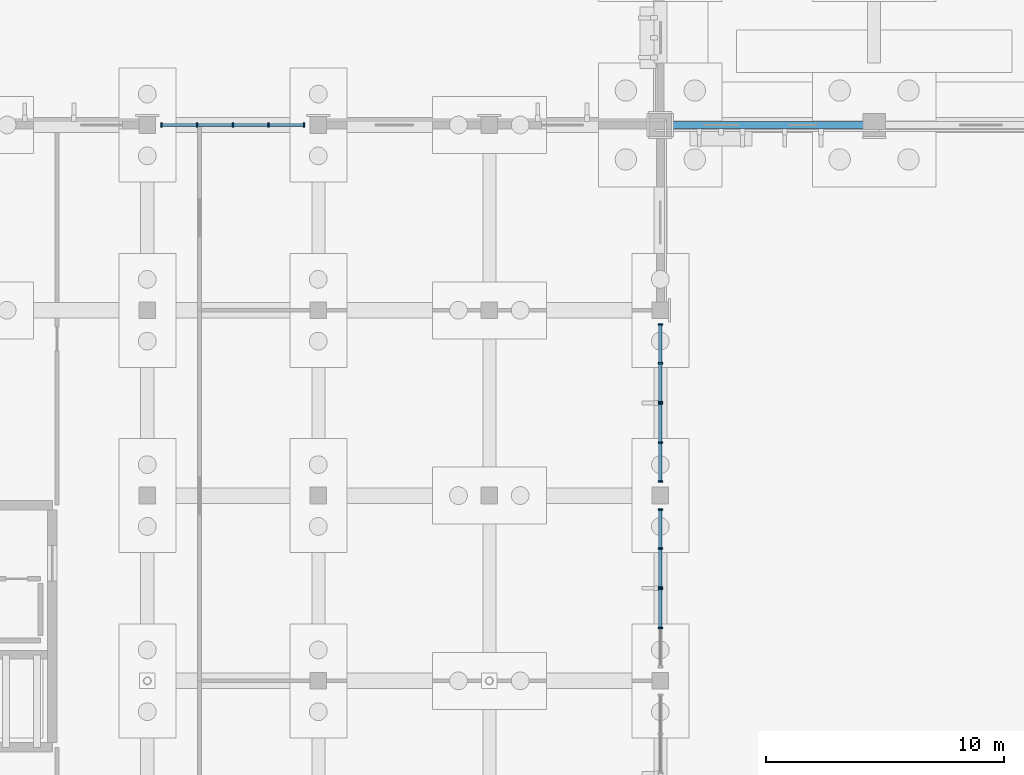
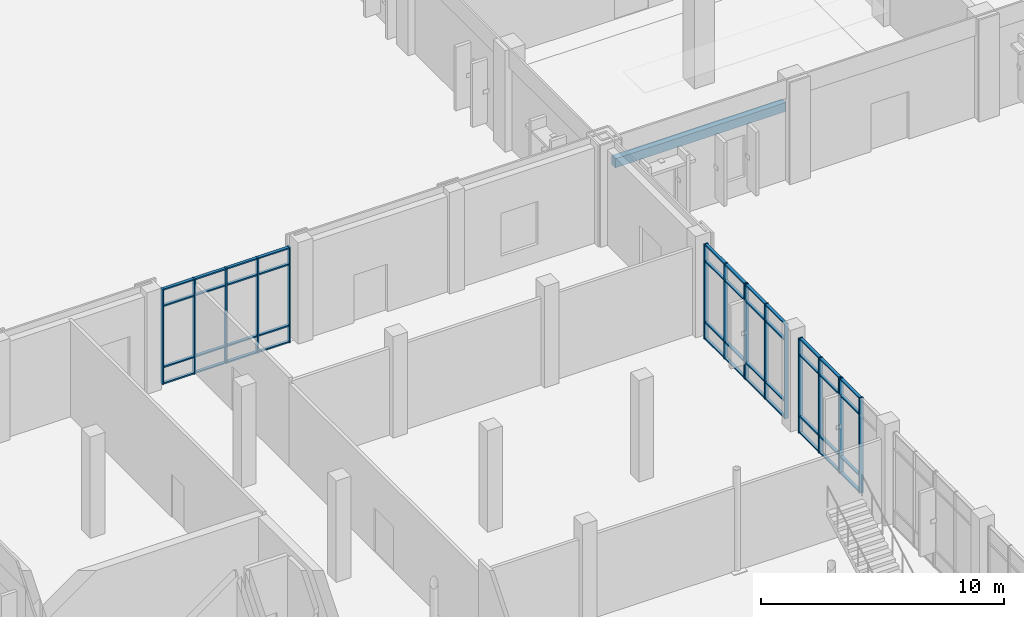
# One storey, part 43 of 94: 60 members, 1 beam, 5 elements without a shape of their own.
"""IFC4 building model written with IfcOpenShell, lengths in metres."""

from ifc_helpers import new_model, si_unit, direction, frame, origin, origin_2d, place, context, subcontext, project, spatial, rectangle, extrude, material, material_profile, profile_set, type_object, element, aggregate, save


model = new_model("IFC4")

# Units and contexts
model_context = context("Model", 3, precision=1e-05, world=origin(), true_north=direction((0.0, 1.0)))
body_context = subcontext(model_context, "Body", "Model", "MODEL_VIEW")
ifc_project = project(units=[si_unit("LENGTHUNIT", "METRE"), si_unit("AREAUNIT", "SQUARE_METRE"), si_unit("VOLUMEUNIT", "CUBIC_METRE"), si_unit("PLANEANGLEUNIT", "RADIAN"), si_unit("MASSUNIT", "GRAM", prefix="KILO")], contexts=[model_context])

# Site, building, storey
site_placement = place(None, origin())
site = spatial("IfcSite", under=ifc_project, at=site_placement, CompositionType="ELEMENT")
building_placement = place(site_placement, origin())
building = spatial("IfcBuilding", under=site, at=building_placement, Name="Vervanel Yard Central Library", CompositionType="ELEMENT")
storey_placement = place(building_placement, origin())
storey = spatial("IfcBuildingStorey", under=building, at=storey_placement, Name="L00", CompositionType="ELEMENT", Elevation=0.0)

# Beam
ifc_material_1 = material(Name="Concrete C40/50", Category="concrete")
ifc_material_profile_1 = material_profile(ifc_material_1, rectangle(XDim=0.300048828125, YDim=0.449951171875, at=origin_2d()), Name="RC 300x450", Category="concrete")
ifc_profile_set_1 = profile_set([ifc_material_profile_1], Name="Concrete C40/50")
beam_type = type_object("IfcBeamType", Name="Concrete Opening Lintel 300x450", PredefinedType="LINTEL", material=ifc_profile_set_1)
beam_placement = place(storey_placement, frame((36.449951171875, 82.199951171875, 3.64990234375), z_axis=(1.0, 0.0, 0.0), x_axis=(0.0, 1.0, 0.0)))
element("IfcBeam", 1, at=beam_placement, inside=storey, type_object=beam_type, Name="L00 Portal Opening Lintel 1", PredefinedType="LINTEL", context=body_context, shape_type="SweptSolid", body=[
    extrude(rectangle(XDim=0.300048828125, YDim=0.449951171875, at=origin_2d()), origin(), (0.0, 0.0, 1.0), 8.10009765625),
])

# Curtain wall, members
ifc_material_2 = material(Name="Thermally broken anodized aluminium 6063-T6", Category="aluminium")
curtain_wall_type = type_object("IfcCurtainWallType", Name="Atrium Courtyard Curtain Wall", PredefinedType="NOTDEFINED", material=ifc_material_2)
curtain_wall_1_placement = place(storey_placement, origin())
curtain_wall_1 = element("IfcCurtainWall", 2, at=curtain_wall_1_placement, inside=storey, type_object=curtain_wall_type, Name="L00 Atrium Courtyard Curtain Wall CWR-L00-023", PredefinedType="NOTDEFINED")
ifc_material_profile_2 = material_profile(ifc_material_2, rectangle(XDim=0.06494140625, YDim=0.18994140625, at=origin_2d()), Name="ALU 65x190", Category="aluminium")
ifc_profile_set_2 = profile_set([ifc_material_profile_2], Name="Thermally broken anodized aluminium 6063-T6")
member_type_1 = type_object("IfcMemberType", Name="Curtain Wall Primary Mullion 65x190", PredefinedType="MULLION", material=ifc_profile_set_2)
member_1_placement = place(storey_placement, frame((36.0, 61.030029296875, 0.0), z_axis=(0.0, 0.0, 1.0), x_axis=(0.0, 1.0, 0.0)))
member_1 = element("IfcMember", 3, at=member_1_placement, type_object=member_type_1, Name="CWR-L00-023 Mullion 2", PredefinedType="MULLION", context=body_context, shape_type="SweptSolid", body=[
    extrude(rectangle(XDim=0.06494140625, YDim=0.18994140625, at=origin_2d()), origin(), (0.0, 0.0, 1.0), 4.780029296875),
])
member_2_placement = place(storey_placement, frame((36.0, 62.66748046875, 0.0), z_axis=(0.0, 0.0, 1.0), x_axis=(0.0, 1.0, 0.0)))
member_2 = element("IfcMember", 4, at=member_2_placement, type_object=member_type_1, Name="CWR-L00-023 Mullion 3", PredefinedType="MULLION", context=body_context, shape_type="SweptSolid", body=[
    extrude(rectangle(XDim=0.06494140625, YDim=0.18994140625, at=origin_2d()), origin(), (0.0, 0.0, 1.0), 4.780029296875),
])

curtain_wall_2_placement = place(storey_placement, origin())
curtain_wall_2 = element("IfcCurtainWall", 5, at=curtain_wall_2_placement, inside=storey, type_object=curtain_wall_type, Name="L00 Atrium Courtyard Curtain Wall CWR-L00-024", PredefinedType="NOTDEFINED")
member_3_placement = place(storey_placement, frame((36.0, 62.732421875, 0.0), z_axis=(0.0, 0.0, 1.0), x_axis=(0.0, 1.0, 0.0)))
member_3 = element("IfcMember", 6, at=member_3_placement, type_object=member_type_1, Name="CWR-L00-024 Mullion 1", PredefinedType="MULLION", context=body_context, shape_type="SweptSolid", body=[
    extrude(rectangle(XDim=0.06494140625, YDim=0.18994140625, at=origin_2d()), origin(), (0.0, 0.0, 1.0), 4.780029296875),
])
member_4_placement = place(storey_placement, frame((36.0, 64.3701171875, 0.0), z_axis=(0.0, 0.0, 1.0), x_axis=(0.0, 1.0, 0.0)))
member_4 = element("IfcMember", 7, at=member_4_placement, type_object=member_type_1, Name="CWR-L00-024 Mullion 2", PredefinedType="MULLION", context=body_context, shape_type="SweptSolid", body=[
    extrude(rectangle(XDim=0.06494140625, YDim=0.18994140625, at=origin_2d()), origin(), (0.0, 0.0, 1.0), 4.780029296875),
])
member_5_placement = place(storey_placement, frame((36.0, 66.007568359375, 0.0), z_axis=(0.0, 0.0, 1.0), x_axis=(0.0, 1.0, 0.0)))
member_5 = element("IfcMember", 8, at=member_5_placement, type_object=member_type_1, Name="CWR-L00-024 Mullion 3", PredefinedType="MULLION", context=body_context, shape_type="SweptSolid", body=[
    extrude(rectangle(XDim=0.06494140625, YDim=0.18994140625, at=origin_2d()), origin(), (0.0, 0.0, 1.0), 4.780029296875),
])

curtain_wall_3_placement = place(storey_placement, origin())
curtain_wall_3 = element("IfcCurtainWall", 9, at=curtain_wall_3_placement, inside=storey, type_object=curtain_wall_type, Name="L00 Atrium Courtyard Curtain Wall CWR-L00-025", PredefinedType="NOTDEFINED")
member_6_placement = place(storey_placement, frame((36.0, 67.1923828125, 0.0), z_axis=(0.0, 0.0, 1.0), x_axis=(0.0, 1.0, 0.0)))
member_6 = element("IfcMember", 10, at=member_6_placement, type_object=member_type_1, Name="CWR-L00-025 Mullion 1", PredefinedType="MULLION", context=body_context, shape_type="SweptSolid", body=[
    extrude(rectangle(XDim=0.06494140625, YDim=0.18994140625, at=origin_2d()), origin(), (0.0, 0.0, 1.0), 4.780029296875),
])
member_7_placement = place(storey_placement, frame((36.0, 68.830078125, 0.0), z_axis=(0.0, 0.0, 1.0), x_axis=(0.0, 1.0, 0.0)))
member_7 = element("IfcMember", 11, at=member_7_placement, type_object=member_type_1, Name="CWR-L00-025 Mullion 2", PredefinedType="MULLION", context=body_context, shape_type="SweptSolid", body=[
    extrude(rectangle(XDim=0.06494140625, YDim=0.18994140625, at=origin_2d()), origin(), (0.0, 0.0, 1.0), 4.780029296875),
])
member_8_placement = place(storey_placement, frame((36.0, 70.467529296875, 0.0), z_axis=(0.0, 0.0, 1.0), x_axis=(0.0, 1.0, 0.0)))
member_8 = element("IfcMember", 12, at=member_8_placement, type_object=member_type_1, Name="CWR-L00-025 Mullion 3", PredefinedType="MULLION", context=body_context, shape_type="SweptSolid", body=[
    extrude(rectangle(XDim=0.06494140625, YDim=0.18994140625, at=origin_2d()), origin(), (0.0, 0.0, 1.0), 4.780029296875),
])

curtain_wall_4_placement = place(storey_placement, origin())
curtain_wall_4 = element("IfcCurtainWall", 13, at=curtain_wall_4_placement, inside=storey, type_object=curtain_wall_type, Name="L00 Atrium Courtyard Curtain Wall CWR-L00-026", PredefinedType="NOTDEFINED")
member_9_placement = place(storey_placement, frame((36.0, 70.532470703125, 0.0), z_axis=(0.0, 0.0, 1.0), x_axis=(0.0, 1.0, 0.0)))
member_9 = element("IfcMember", 14, at=member_9_placement, type_object=member_type_1, Name="CWR-L00-026 Mullion 1", PredefinedType="MULLION", context=body_context, shape_type="SweptSolid", body=[
    extrude(rectangle(XDim=0.06494140625, YDim=0.18994140625, at=origin_2d()), origin(), (0.0, 0.0, 1.0), 4.780029296875),
])
member_10_placement = place(storey_placement, frame((36.0, 72.169921875, 0.0), z_axis=(0.0, 0.0, 1.0), x_axis=(0.0, 1.0, 0.0)))
member_10 = element("IfcMember", 15, at=member_10_placement, type_object=member_type_1, Name="CWR-L00-026 Mullion 2", PredefinedType="MULLION", context=body_context, shape_type="SweptSolid", body=[
    extrude(rectangle(XDim=0.06494140625, YDim=0.18994140625, at=origin_2d()), origin(), (0.0, 0.0, 1.0), 4.780029296875),
])
member_11_placement = place(storey_placement, frame((36.0, 73.8076171875, 0.0), z_axis=(0.0, 0.0, 1.0), x_axis=(0.0, 1.0, 0.0)))
member_11 = element("IfcMember", 16, at=member_11_placement, type_object=member_type_1, Name="CWR-L00-026 Mullion 3", PredefinedType="MULLION", context=body_context, shape_type="SweptSolid", body=[
    extrude(rectangle(XDim=0.06494140625, YDim=0.18994140625, at=origin_2d()), origin(), (0.0, 0.0, 1.0), 4.780029296875),
])

curtain_wall_5_placement = place(storey_placement, origin())
curtain_wall_5 = element("IfcCurtainWall", 17, at=curtain_wall_5_placement, inside=storey, type_object=curtain_wall_type, Name="L00 Atrium Courtyard Curtain Wall CWR-L00-027", PredefinedType="NOTDEFINED")
member_12_placement = place(storey_placement, frame((14.992431640625, 82.199951171875, 0.0), z_axis=(0.0, 0.0, 1.0), x_axis=(1.0, 0.0, 0.0)))
member_12 = element("IfcMember", 18, at=member_12_placement, type_object=member_type_1, Name="CWR-L00-027 Mullion 1", PredefinedType="MULLION", context=body_context, shape_type="SweptSolid", body=[
    extrude(rectangle(XDim=0.06494140625, YDim=0.18994140625, at=origin_2d()), origin(), (0.0, 0.0, 1.0), 4.780029296875),
])
member_13_placement = place(storey_placement, frame((16.496337890625, 82.199951171875, 0.0), z_axis=(0.0, 0.0, 1.0), x_axis=(1.0, 0.0, 0.0)))
member_13 = element("IfcMember", 19, at=member_13_placement, type_object=member_type_1, Name="CWR-L00-027 Mullion 2", PredefinedType="MULLION", context=body_context, shape_type="SweptSolid", body=[
    extrude(rectangle(XDim=0.06494140625, YDim=0.18994140625, at=origin_2d()), origin(), (0.0, 0.0, 1.0), 4.780029296875),
])
member_14_placement = place(storey_placement, frame((18.0, 82.199951171875, 0.0), z_axis=(0.0, 0.0, 1.0), x_axis=(1.0, 0.0, 0.0)))
member_14 = element("IfcMember", 20, at=member_14_placement, type_object=member_type_1, Name="CWR-L00-027 Mullion 3", PredefinedType="MULLION", context=body_context, shape_type="SweptSolid", body=[
    extrude(rectangle(XDim=0.06494140625, YDim=0.18994140625, at=origin_2d()), origin(), (0.0, 0.0, 1.0), 4.780029296875),
])
member_15_placement = place(storey_placement, frame((19.503662109375, 82.199951171875, 0.0), z_axis=(0.0, 0.0, 1.0), x_axis=(1.0, 0.0, 0.0)))
member_15 = element("IfcMember", 21, at=member_15_placement, type_object=member_type_1, Name="CWR-L00-027 Mullion 4", PredefinedType="MULLION", context=body_context, shape_type="SweptSolid", body=[
    extrude(rectangle(XDim=0.06494140625, YDim=0.18994140625, at=origin_2d()), origin(), (0.0, 0.0, 1.0), 4.780029296875),
])
member_16_placement = place(storey_placement, frame((21.007568359375, 82.199951171875, 0.0), z_axis=(0.0, 0.0, 1.0), x_axis=(1.0, 0.0, 0.0)))
member_16 = element("IfcMember", 22, at=member_16_placement, type_object=member_type_1, Name="CWR-L00-027 Mullion 5", PredefinedType="MULLION", context=body_context, shape_type="SweptSolid", body=[
    extrude(rectangle(XDim=0.06494140625, YDim=0.18994140625, at=origin_2d()), origin(), (0.0, 0.0, 1.0), 4.780029296875),
])

# Member
ifc_material_profile_3 = material_profile(ifc_material_2, rectangle(XDim=0.06494140625, YDim=0.139892578125, at=origin_2d()), Name="ALU 65x140", Category="aluminium")
ifc_profile_set_3 = profile_set([ifc_material_profile_3], Name="Thermally broken anodized aluminium 6063-T6")
member_type_2 = type_object("IfcMemberType", Name="Curtain Wall Transom 65x140", PredefinedType="NOTDEFINED", material=ifc_profile_set_3)
member_17_placement = place(storey_placement, frame((36.0, 61.0625, 0.032470703125), z_axis=(0.0, 1.0, 0.0), x_axis=(0.0, 0.0, 1.0)))
member_17 = element("IfcMember", 23, at=member_17_placement, type_object=member_type_2, Name="CWR-L00-023 Transom B2-T1", ObjectType="TRANSOM", PredefinedType="USERDEFINED", context=body_context, shape_type="SweptSolid", body=[
    extrude(rectangle(XDim=0.06494140625, YDim=0.139892578125, at=origin_2d()), origin(), (0.0, 0.0, 1.0), 1.572509765625),
])

member_18_placement = place(storey_placement, frame((36.0, 61.0625, 0.85009765625), z_axis=(0.0, 1.0, 0.0), x_axis=(0.0, 0.0, 1.0)))
member_18 = element("IfcMember", 24, at=member_18_placement, type_object=member_type_2, Name="CWR-L00-023 Transom B2-T2", ObjectType="TRANSOM", PredefinedType="USERDEFINED", context=body_context, shape_type="SweptSolid", body=[
    extrude(rectangle(XDim=0.06494140625, YDim=0.139892578125, at=origin_2d()), origin(), (0.0, 0.0, 1.0), 1.572509765625),
])

member_19_placement = place(storey_placement, frame((36.0, 61.0625, 3.929931640625), z_axis=(0.0, 1.0, 0.0), x_axis=(0.0, 0.0, 1.0)))
member_19 = element("IfcMember", 25, at=member_19_placement, type_object=member_type_2, Name="CWR-L00-023 Transom B2-T3", ObjectType="TRANSOM", PredefinedType="USERDEFINED", context=body_context, shape_type="SweptSolid", body=[
    extrude(rectangle(XDim=0.06494140625, YDim=0.139892578125, at=origin_2d()), origin(), (0.0, 0.0, 1.0), 1.572509765625),
])

member_20_placement = place(storey_placement, frame((36.0, 61.0625, 4.74755859375), z_axis=(0.0, 1.0, 0.0), x_axis=(0.0, 0.0, 1.0)))
member_20 = element("IfcMember", 26, at=member_20_placement, type_object=member_type_2, Name="CWR-L00-023 Transom B2-T4", ObjectType="TRANSOM", PredefinedType="USERDEFINED", context=body_context, shape_type="SweptSolid", body=[
    extrude(rectangle(XDim=0.06494140625, YDim=0.139892578125, at=origin_2d()), origin(), (0.0, 0.0, 1.0), 1.572509765625),
])

aggregate(curtain_wall_1, [member_1, member_2, member_17, member_18, member_19, member_20])

member_21_placement = place(storey_placement, frame((36.0, 62.764892578125, 0.032470703125), z_axis=(0.0, 1.0, 0.0), x_axis=(0.0, 0.0, 1.0)))
member_21 = element("IfcMember", 27, at=member_21_placement, type_object=member_type_2, Name="CWR-L00-024 Transom B1-T1", ObjectType="TRANSOM", PredefinedType="USERDEFINED", context=body_context, shape_type="SweptSolid", body=[
    extrude(rectangle(XDim=0.06494140625, YDim=0.139892578125, at=origin_2d()), origin(), (0.0, 0.0, 1.0), 1.572509765625),
])

member_22_placement = place(storey_placement, frame((36.0, 62.764892578125, 0.85009765625), z_axis=(0.0, 1.0, 0.0), x_axis=(0.0, 0.0, 1.0)))
member_22 = element("IfcMember", 28, at=member_22_placement, type_object=member_type_2, Name="CWR-L00-024 Transom B1-T2", ObjectType="TRANSOM", PredefinedType="USERDEFINED", context=body_context, shape_type="SweptSolid", body=[
    extrude(rectangle(XDim=0.06494140625, YDim=0.139892578125, at=origin_2d()), origin(), (0.0, 0.0, 1.0), 1.572509765625),
])

member_23_placement = place(storey_placement, frame((36.0, 62.764892578125, 3.929931640625), z_axis=(0.0, 1.0, 0.0), x_axis=(0.0, 0.0, 1.0)))
member_23 = element("IfcMember", 29, at=member_23_placement, type_object=member_type_2, Name="CWR-L00-024 Transom B1-T3", ObjectType="TRANSOM", PredefinedType="USERDEFINED", context=body_context, shape_type="SweptSolid", body=[
    extrude(rectangle(XDim=0.06494140625, YDim=0.139892578125, at=origin_2d()), origin(), (0.0, 0.0, 1.0), 1.572509765625),
])

member_24_placement = place(storey_placement, frame((36.0, 62.764892578125, 4.74755859375), z_axis=(0.0, 1.0, 0.0), x_axis=(0.0, 0.0, 1.0)))
member_24 = element("IfcMember", 30, at=member_24_placement, type_object=member_type_2, Name="CWR-L00-024 Transom B1-T4", ObjectType="TRANSOM", PredefinedType="USERDEFINED", context=body_context, shape_type="SweptSolid", body=[
    extrude(rectangle(XDim=0.06494140625, YDim=0.139892578125, at=origin_2d()), origin(), (0.0, 0.0, 1.0), 1.572509765625),
])

member_25_placement = place(storey_placement, frame((36.0, 64.402587890625, 0.032470703125), z_axis=(0.0, 1.0, 0.0), x_axis=(0.0, 0.0, 1.0)))
member_25 = element("IfcMember", 31, at=member_25_placement, type_object=member_type_2, Name="CWR-L00-024 Transom B2-T1", ObjectType="TRANSOM", PredefinedType="USERDEFINED", context=body_context, shape_type="SweptSolid", body=[
    extrude(rectangle(XDim=0.06494140625, YDim=0.139892578125, at=origin_2d()), origin(), (0.0, 0.0, 1.0), 1.572509765625),
])

member_26_placement = place(storey_placement, frame((36.0, 64.402587890625, 0.85009765625), z_axis=(0.0, 1.0, 0.0), x_axis=(0.0, 0.0, 1.0)))
member_26 = element("IfcMember", 32, at=member_26_placement, type_object=member_type_2, Name="CWR-L00-024 Transom B2-T2", ObjectType="TRANSOM", PredefinedType="USERDEFINED", context=body_context, shape_type="SweptSolid", body=[
    extrude(rectangle(XDim=0.06494140625, YDim=0.139892578125, at=origin_2d()), origin(), (0.0, 0.0, 1.0), 1.572509765625),
])

member_27_placement = place(storey_placement, frame((36.0, 64.402587890625, 3.929931640625), z_axis=(0.0, 1.0, 0.0), x_axis=(0.0, 0.0, 1.0)))
member_27 = element("IfcMember", 33, at=member_27_placement, type_object=member_type_2, Name="CWR-L00-024 Transom B2-T3", ObjectType="TRANSOM", PredefinedType="USERDEFINED", context=body_context, shape_type="SweptSolid", body=[
    extrude(rectangle(XDim=0.06494140625, YDim=0.139892578125, at=origin_2d()), origin(), (0.0, 0.0, 1.0), 1.572509765625),
])

member_28_placement = place(storey_placement, frame((36.0, 64.402587890625, 4.74755859375), z_axis=(0.0, 1.0, 0.0), x_axis=(0.0, 0.0, 1.0)))
member_28 = element("IfcMember", 34, at=member_28_placement, type_object=member_type_2, Name="CWR-L00-024 Transom B2-T4", ObjectType="TRANSOM", PredefinedType="USERDEFINED", context=body_context, shape_type="SweptSolid", body=[
    extrude(rectangle(XDim=0.06494140625, YDim=0.139892578125, at=origin_2d()), origin(), (0.0, 0.0, 1.0), 1.572509765625),
])

aggregate(curtain_wall_2, [member_3, member_4, member_5, member_21, member_22, member_23, member_24, member_25, member_26, member_27, member_28])

member_29_placement = place(storey_placement, frame((36.0, 67.22509765625, 0.032470703125), z_axis=(0.0, 1.0, 0.0), x_axis=(0.0, 0.0, 1.0)))
member_29 = element("IfcMember", 35, at=member_29_placement, type_object=member_type_2, Name="CWR-L00-025 Transom B1-T1", ObjectType="TRANSOM", PredefinedType="USERDEFINED", context=body_context, shape_type="SweptSolid", body=[
    extrude(rectangle(XDim=0.06494140625, YDim=0.139892578125, at=origin_2d()), origin(), (0.0, 0.0, 1.0), 1.572509765625),
])

member_30_placement = place(storey_placement, frame((36.0, 67.22509765625, 0.85009765625), z_axis=(0.0, 1.0, 0.0), x_axis=(0.0, 0.0, 1.0)))
member_30 = element("IfcMember", 36, at=member_30_placement, type_object=member_type_2, Name="CWR-L00-025 Transom B1-T2", ObjectType="TRANSOM", PredefinedType="USERDEFINED", context=body_context, shape_type="SweptSolid", body=[
    extrude(rectangle(XDim=0.06494140625, YDim=0.139892578125, at=origin_2d()), origin(), (0.0, 0.0, 1.0), 1.572509765625),
])

member_31_placement = place(storey_placement, frame((36.0, 67.22509765625, 3.929931640625), z_axis=(0.0, 1.0, 0.0), x_axis=(0.0, 0.0, 1.0)))
member_31 = element("IfcMember", 37, at=member_31_placement, type_object=member_type_2, Name="CWR-L00-025 Transom B1-T3", ObjectType="TRANSOM", PredefinedType="USERDEFINED", context=body_context, shape_type="SweptSolid", body=[
    extrude(rectangle(XDim=0.06494140625, YDim=0.139892578125, at=origin_2d()), origin(), (0.0, 0.0, 1.0), 1.572509765625),
])

member_32_placement = place(storey_placement, frame((36.0, 67.22509765625, 4.74755859375), z_axis=(0.0, 1.0, 0.0), x_axis=(0.0, 0.0, 1.0)))
member_32 = element("IfcMember", 38, at=member_32_placement, type_object=member_type_2, Name="CWR-L00-025 Transom B1-T4", ObjectType="TRANSOM", PredefinedType="USERDEFINED", context=body_context, shape_type="SweptSolid", body=[
    extrude(rectangle(XDim=0.06494140625, YDim=0.139892578125, at=origin_2d()), origin(), (0.0, 0.0, 1.0), 1.572509765625),
])

member_33_placement = place(storey_placement, frame((36.0, 68.862548828125, 0.032470703125), z_axis=(0.0, 1.0, 0.0), x_axis=(0.0, 0.0, 1.0)))
member_33 = element("IfcMember", 39, at=member_33_placement, type_object=member_type_2, Name="CWR-L00-025 Transom B2-T1", ObjectType="TRANSOM", PredefinedType="USERDEFINED", context=body_context, shape_type="SweptSolid", body=[
    extrude(rectangle(XDim=0.06494140625, YDim=0.139892578125, at=origin_2d()), origin(), (0.0, 0.0, 1.0), 1.572509765625),
])

member_34_placement = place(storey_placement, frame((36.0, 68.862548828125, 0.85009765625), z_axis=(0.0, 1.0, 0.0), x_axis=(0.0, 0.0, 1.0)))
member_34 = element("IfcMember", 40, at=member_34_placement, type_object=member_type_2, Name="CWR-L00-025 Transom B2-T2", ObjectType="TRANSOM", PredefinedType="USERDEFINED", context=body_context, shape_type="SweptSolid", body=[
    extrude(rectangle(XDim=0.06494140625, YDim=0.139892578125, at=origin_2d()), origin(), (0.0, 0.0, 1.0), 1.572509765625),
])

member_35_placement = place(storey_placement, frame((36.0, 68.862548828125, 3.929931640625), z_axis=(0.0, 1.0, 0.0), x_axis=(0.0, 0.0, 1.0)))
member_35 = element("IfcMember", 41, at=member_35_placement, type_object=member_type_2, Name="CWR-L00-025 Transom B2-T3", ObjectType="TRANSOM", PredefinedType="USERDEFINED", context=body_context, shape_type="SweptSolid", body=[
    extrude(rectangle(XDim=0.06494140625, YDim=0.139892578125, at=origin_2d()), origin(), (0.0, 0.0, 1.0), 1.572509765625),
])

member_36_placement = place(storey_placement, frame((36.0, 68.862548828125, 4.74755859375), z_axis=(0.0, 1.0, 0.0), x_axis=(0.0, 0.0, 1.0)))
member_36 = element("IfcMember", 42, at=member_36_placement, type_object=member_type_2, Name="CWR-L00-025 Transom B2-T4", ObjectType="TRANSOM", PredefinedType="USERDEFINED", context=body_context, shape_type="SweptSolid", body=[
    extrude(rectangle(XDim=0.06494140625, YDim=0.139892578125, at=origin_2d()), origin(), (0.0, 0.0, 1.0), 1.572509765625),
])

aggregate(curtain_wall_3, [member_6, member_7, member_8, member_29, member_30, member_31, member_32, member_33, member_34, member_35, member_36])

member_37_placement = place(storey_placement, frame((36.0, 70.56494140625, 0.032470703125), z_axis=(0.0, 1.0, 0.0), x_axis=(0.0, 0.0, 1.0)))
member_37 = element("IfcMember", 43, at=member_37_placement, type_object=member_type_2, Name="CWR-L00-026 Transom B1-T1", ObjectType="TRANSOM", PredefinedType="USERDEFINED", context=body_context, shape_type="SweptSolid", body=[
    extrude(rectangle(XDim=0.06494140625, YDim=0.139892578125, at=origin_2d()), origin(), (0.0, 0.0, 1.0), 1.572509765625),
])

member_38_placement = place(storey_placement, frame((36.0, 70.56494140625, 0.85009765625), z_axis=(0.0, 1.0, 0.0), x_axis=(0.0, 0.0, 1.0)))
member_38 = element("IfcMember", 44, at=member_38_placement, type_object=member_type_2, Name="CWR-L00-026 Transom B1-T2", ObjectType="TRANSOM", PredefinedType="USERDEFINED", context=body_context, shape_type="SweptSolid", body=[
    extrude(rectangle(XDim=0.06494140625, YDim=0.139892578125, at=origin_2d()), origin(), (0.0, 0.0, 1.0), 1.572509765625),
])

member_39_placement = place(storey_placement, frame((36.0, 70.56494140625, 3.929931640625), z_axis=(0.0, 1.0, 0.0), x_axis=(0.0, 0.0, 1.0)))
member_39 = element("IfcMember", 45, at=member_39_placement, type_object=member_type_2, Name="CWR-L00-026 Transom B1-T3", ObjectType="TRANSOM", PredefinedType="USERDEFINED", context=body_context, shape_type="SweptSolid", body=[
    extrude(rectangle(XDim=0.06494140625, YDim=0.139892578125, at=origin_2d()), origin(), (0.0, 0.0, 1.0), 1.572509765625),
])

member_40_placement = place(storey_placement, frame((36.0, 70.56494140625, 4.74755859375), z_axis=(0.0, 1.0, 0.0), x_axis=(0.0, 0.0, 1.0)))
member_40 = element("IfcMember", 46, at=member_40_placement, type_object=member_type_2, Name="CWR-L00-026 Transom B1-T4", ObjectType="TRANSOM", PredefinedType="USERDEFINED", context=body_context, shape_type="SweptSolid", body=[
    extrude(rectangle(XDim=0.06494140625, YDim=0.139892578125, at=origin_2d()), origin(), (0.0, 0.0, 1.0), 1.572509765625),
])

member_41_placement = place(storey_placement, frame((36.0, 72.202392578125, 0.032470703125), z_axis=(0.0, 1.0, 0.0), x_axis=(0.0, 0.0, 1.0)))
member_41 = element("IfcMember", 47, at=member_41_placement, type_object=member_type_2, Name="CWR-L00-026 Transom B2-T1", ObjectType="TRANSOM", PredefinedType="USERDEFINED", context=body_context, shape_type="SweptSolid", body=[
    extrude(rectangle(XDim=0.06494140625, YDim=0.139892578125, at=origin_2d()), origin(), (0.0, 0.0, 1.0), 1.572509765625),
])

member_42_placement = place(storey_placement, frame((36.0, 72.202392578125, 0.85009765625), z_axis=(0.0, 1.0, 0.0), x_axis=(0.0, 0.0, 1.0)))
member_42 = element("IfcMember", 48, at=member_42_placement, type_object=member_type_2, Name="CWR-L00-026 Transom B2-T2", ObjectType="TRANSOM", PredefinedType="USERDEFINED", context=body_context, shape_type="SweptSolid", body=[
    extrude(rectangle(XDim=0.06494140625, YDim=0.139892578125, at=origin_2d()), origin(), (0.0, 0.0, 1.0), 1.572509765625),
])

member_43_placement = place(storey_placement, frame((36.0, 72.202392578125, 3.929931640625), z_axis=(0.0, 1.0, 0.0), x_axis=(0.0, 0.0, 1.0)))
member_43 = element("IfcMember", 49, at=member_43_placement, type_object=member_type_2, Name="CWR-L00-026 Transom B2-T3", ObjectType="TRANSOM", PredefinedType="USERDEFINED", context=body_context, shape_type="SweptSolid", body=[
    extrude(rectangle(XDim=0.06494140625, YDim=0.139892578125, at=origin_2d()), origin(), (0.0, 0.0, 1.0), 1.572509765625),
])

member_44_placement = place(storey_placement, frame((36.0, 72.202392578125, 4.74755859375), z_axis=(0.0, 1.0, 0.0), x_axis=(0.0, 0.0, 1.0)))
member_44 = element("IfcMember", 50, at=member_44_placement, type_object=member_type_2, Name="CWR-L00-026 Transom B2-T4", ObjectType="TRANSOM", PredefinedType="USERDEFINED", context=body_context, shape_type="SweptSolid", body=[
    extrude(rectangle(XDim=0.06494140625, YDim=0.139892578125, at=origin_2d()), origin(), (0.0, 0.0, 1.0), 1.572509765625),
])

aggregate(curtain_wall_4, [member_9, member_10, member_11, member_37, member_38, member_39, member_40, member_41, member_42, member_43, member_44])

member_45_placement = place(storey_placement, frame((15.02490234375, 82.199951171875, 0.032470703125), z_axis=(1.0, 0.0, 0.0), x_axis=(0.0, 0.0, 1.0)))
member_45 = element("IfcMember", 51, at=member_45_placement, type_object=member_type_2, Name="CWR-L00-027 Transom B1-T1", ObjectType="TRANSOM", PredefinedType="USERDEFINED", context=body_context, shape_type="SweptSolid", body=[
    extrude(rectangle(XDim=0.06494140625, YDim=0.139892578125, at=origin_2d()), origin(), (0.0, 0.0, 1.0), 1.43896484375),
])

member_46_placement = place(storey_placement, frame((15.02490234375, 82.199951171875, 0.85009765625), z_axis=(1.0, 0.0, 0.0), x_axis=(0.0, 0.0, 1.0)))
member_46 = element("IfcMember", 52, at=member_46_placement, type_object=member_type_2, Name="CWR-L00-027 Transom B1-T2", ObjectType="TRANSOM", PredefinedType="USERDEFINED", context=body_context, shape_type="SweptSolid", body=[
    extrude(rectangle(XDim=0.06494140625, YDim=0.139892578125, at=origin_2d()), origin(), (0.0, 0.0, 1.0), 1.43896484375),
])

member_47_placement = place(storey_placement, frame((15.02490234375, 82.199951171875, 3.929931640625), z_axis=(1.0, 0.0, 0.0), x_axis=(0.0, 0.0, 1.0)))
member_47 = element("IfcMember", 53, at=member_47_placement, type_object=member_type_2, Name="CWR-L00-027 Transom B1-T3", ObjectType="TRANSOM", PredefinedType="USERDEFINED", context=body_context, shape_type="SweptSolid", body=[
    extrude(rectangle(XDim=0.06494140625, YDim=0.139892578125, at=origin_2d()), origin(), (0.0, 0.0, 1.0), 1.43896484375),
])

member_48_placement = place(storey_placement, frame((15.02490234375, 82.199951171875, 4.74755859375), z_axis=(1.0, 0.0, 0.0), x_axis=(0.0, 0.0, 1.0)))
member_48 = element("IfcMember", 54, at=member_48_placement, type_object=member_type_2, Name="CWR-L00-027 Transom B1-T4", ObjectType="TRANSOM", PredefinedType="USERDEFINED", context=body_context, shape_type="SweptSolid", body=[
    extrude(rectangle(XDim=0.06494140625, YDim=0.139892578125, at=origin_2d()), origin(), (0.0, 0.0, 1.0), 1.43896484375),
])

member_49_placement = place(storey_placement, frame((16.52880859375, 82.199951171875, 0.032470703125), z_axis=(1.0, 0.0, 0.0), x_axis=(0.0, 0.0, 1.0)))
member_49 = element("IfcMember", 55, at=member_49_placement, type_object=member_type_2, Name="CWR-L00-027 Transom B2-T1", ObjectType="TRANSOM", PredefinedType="USERDEFINED", context=body_context, shape_type="SweptSolid", body=[
    extrude(rectangle(XDim=0.06494140625, YDim=0.139892578125, at=origin_2d()), origin(), (0.0, 0.0, 1.0), 1.438720703125),
])

member_50_placement = place(storey_placement, frame((16.52880859375, 82.199951171875, 0.85009765625), z_axis=(1.0, 0.0, 0.0), x_axis=(0.0, 0.0, 1.0)))
member_50 = element("IfcMember", 56, at=member_50_placement, type_object=member_type_2, Name="CWR-L00-027 Transom B2-T2", ObjectType="TRANSOM", PredefinedType="USERDEFINED", context=body_context, shape_type="SweptSolid", body=[
    extrude(rectangle(XDim=0.06494140625, YDim=0.139892578125, at=origin_2d()), origin(), (0.0, 0.0, 1.0), 1.438720703125),
])

member_51_placement = place(storey_placement, frame((16.52880859375, 82.199951171875, 3.929931640625), z_axis=(1.0, 0.0, 0.0), x_axis=(0.0, 0.0, 1.0)))
member_51 = element("IfcMember", 57, at=member_51_placement, type_object=member_type_2, Name="CWR-L00-027 Transom B2-T3", ObjectType="TRANSOM", PredefinedType="USERDEFINED", context=body_context, shape_type="SweptSolid", body=[
    extrude(rectangle(XDim=0.06494140625, YDim=0.139892578125, at=origin_2d()), origin(), (0.0, 0.0, 1.0), 1.438720703125),
])

member_52_placement = place(storey_placement, frame((16.52880859375, 82.199951171875, 4.74755859375), z_axis=(1.0, 0.0, 0.0), x_axis=(0.0, 0.0, 1.0)))
member_52 = element("IfcMember", 58, at=member_52_placement, type_object=member_type_2, Name="CWR-L00-027 Transom B2-T4", ObjectType="TRANSOM", PredefinedType="USERDEFINED", context=body_context, shape_type="SweptSolid", body=[
    extrude(rectangle(XDim=0.06494140625, YDim=0.139892578125, at=origin_2d()), origin(), (0.0, 0.0, 1.0), 1.438720703125),
])

member_53_placement = place(storey_placement, frame((18.032470703125, 82.199951171875, 0.032470703125), z_axis=(1.0, 0.0, 0.0), x_axis=(0.0, 0.0, 1.0)))
member_53 = element("IfcMember", 59, at=member_53_placement, type_object=member_type_2, Name="CWR-L00-027 Transom B3-T1", ObjectType="TRANSOM", PredefinedType="USERDEFINED", context=body_context, shape_type="SweptSolid", body=[
    extrude(rectangle(XDim=0.06494140625, YDim=0.139892578125, at=origin_2d()), origin(), (0.0, 0.0, 1.0), 1.438720703125),
])

member_54_placement = place(storey_placement, frame((18.032470703125, 82.199951171875, 0.85009765625), z_axis=(1.0, 0.0, 0.0), x_axis=(0.0, 0.0, 1.0)))
member_54 = element("IfcMember", 60, at=member_54_placement, type_object=member_type_2, Name="CWR-L00-027 Transom B3-T2", ObjectType="TRANSOM", PredefinedType="USERDEFINED", context=body_context, shape_type="SweptSolid", body=[
    extrude(rectangle(XDim=0.06494140625, YDim=0.139892578125, at=origin_2d()), origin(), (0.0, 0.0, 1.0), 1.438720703125),
])

member_55_placement = place(storey_placement, frame((18.032470703125, 82.199951171875, 3.929931640625), z_axis=(1.0, 0.0, 0.0), x_axis=(0.0, 0.0, 1.0)))
member_55 = element("IfcMember", 61, at=member_55_placement, type_object=member_type_2, Name="CWR-L00-027 Transom B3-T3", ObjectType="TRANSOM", PredefinedType="USERDEFINED", context=body_context, shape_type="SweptSolid", body=[
    extrude(rectangle(XDim=0.06494140625, YDim=0.139892578125, at=origin_2d()), origin(), (0.0, 0.0, 1.0), 1.438720703125),
])

member_56_placement = place(storey_placement, frame((18.032470703125, 82.199951171875, 4.74755859375), z_axis=(1.0, 0.0, 0.0), x_axis=(0.0, 0.0, 1.0)))
member_56 = element("IfcMember", 62, at=member_56_placement, type_object=member_type_2, Name="CWR-L00-027 Transom B3-T4", ObjectType="TRANSOM", PredefinedType="USERDEFINED", context=body_context, shape_type="SweptSolid", body=[
    extrude(rectangle(XDim=0.06494140625, YDim=0.139892578125, at=origin_2d()), origin(), (0.0, 0.0, 1.0), 1.438720703125),
])

member_57_placement = place(storey_placement, frame((19.5361328125, 82.199951171875, 0.032470703125), z_axis=(1.0, 0.0, 0.0), x_axis=(0.0, 0.0, 1.0)))
member_57 = element("IfcMember", 63, at=member_57_placement, type_object=member_type_2, Name="CWR-L00-027 Transom B4-T1", ObjectType="TRANSOM", PredefinedType="USERDEFINED", context=body_context, shape_type="SweptSolid", body=[
    extrude(rectangle(XDim=0.06494140625, YDim=0.139892578125, at=origin_2d()), origin(), (0.0, 0.0, 1.0), 1.43896484375),
])

member_58_placement = place(storey_placement, frame((19.5361328125, 82.199951171875, 0.85009765625), z_axis=(1.0, 0.0, 0.0), x_axis=(0.0, 0.0, 1.0)))
member_58 = element("IfcMember", 64, at=member_58_placement, type_object=member_type_2, Name="CWR-L00-027 Transom B4-T2", ObjectType="TRANSOM", PredefinedType="USERDEFINED", context=body_context, shape_type="SweptSolid", body=[
    extrude(rectangle(XDim=0.06494140625, YDim=0.139892578125, at=origin_2d()), origin(), (0.0, 0.0, 1.0), 1.43896484375),
])

member_59_placement = place(storey_placement, frame((19.5361328125, 82.199951171875, 3.929931640625), z_axis=(1.0, 0.0, 0.0), x_axis=(0.0, 0.0, 1.0)))
member_59 = element("IfcMember", 65, at=member_59_placement, type_object=member_type_2, Name="CWR-L00-027 Transom B4-T3", ObjectType="TRANSOM", PredefinedType="USERDEFINED", context=body_context, shape_type="SweptSolid", body=[
    extrude(rectangle(XDim=0.06494140625, YDim=0.139892578125, at=origin_2d()), origin(), (0.0, 0.0, 1.0), 1.43896484375),
])

member_60_placement = place(storey_placement, frame((19.5361328125, 82.199951171875, 4.74755859375), z_axis=(1.0, 0.0, 0.0), x_axis=(0.0, 0.0, 1.0)))
member_60 = element("IfcMember", 66, at=member_60_placement, type_object=member_type_2, Name="CWR-L00-027 Transom B4-T4", ObjectType="TRANSOM", PredefinedType="USERDEFINED", context=body_context, shape_type="SweptSolid", body=[
    extrude(rectangle(XDim=0.06494140625, YDim=0.139892578125, at=origin_2d()), origin(), (0.0, 0.0, 1.0), 1.43896484375),
])

aggregate(curtain_wall_5, [member_12, member_13, member_14, member_15, member_16, member_45, member_46, member_47, member_48, member_49, member_50, member_51, member_52, member_53, member_54, member_55, member_56, member_57, member_58, member_59, member_60])

save(model, "model.ifc")
